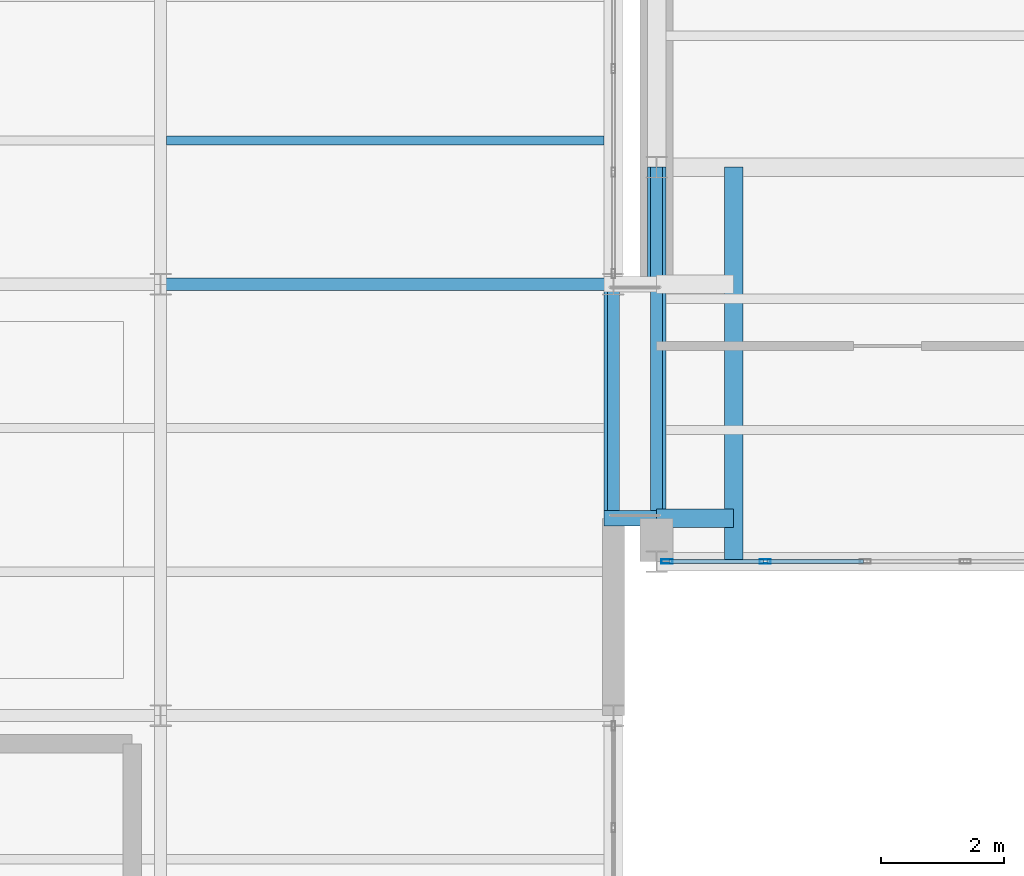
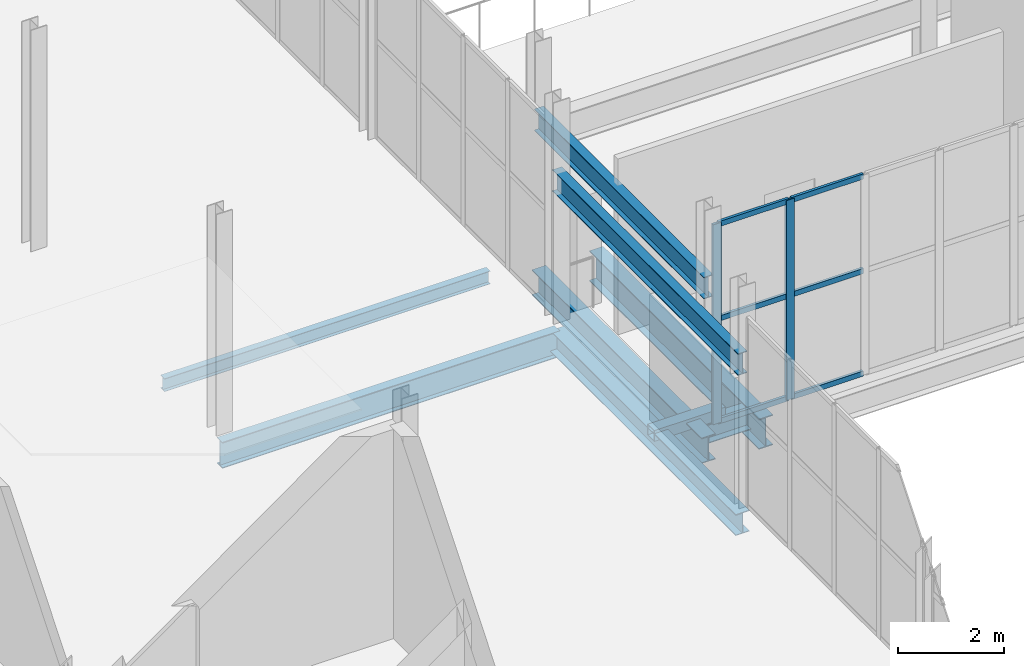
# One storey, part 44 of 218: 9 members, 8 beams, 1 element without a shape of its own.
"""IFC4 building model written with IfcOpenShell, lengths in metres."""

from ifc_helpers import new_model, si_unit, direction, frame, origin, origin_2d, place, context, subcontext, project, spatial, hollow_rectangle, i_section, extrude, material, material_profile, profile_set, type_object, element, aggregate, save


model = new_model("IFC4")

# Units and contexts
model_context = context("Model", 3, precision=1e-05, world=origin(), true_north=direction((0.0, 1.0)))
body_context = subcontext(model_context, "Body", "Model", "MODEL_VIEW")
ifc_project = project(units=[si_unit("LENGTHUNIT", "METRE"), si_unit("AREAUNIT", "SQUARE_METRE"), si_unit("VOLUMEUNIT", "CUBIC_METRE"), si_unit("PLANEANGLEUNIT", "RADIAN"), si_unit("MASSUNIT", "GRAM", prefix="KILO")], contexts=[model_context])

# Site, building, storey
site_placement = place(None, origin())
site = spatial("IfcSite", under=ifc_project, at=site_placement, CompositionType="ELEMENT")
building_placement = place(site_placement, origin())
building = spatial("IfcBuilding", under=site, at=building_placement, Name="Kazenagashi Tramway Depot", CompositionType="ELEMENT")
storey_placement = place(building_placement, frame((0.0, 0.0, 6.0)))
storey = spatial("IfcBuildingStorey", under=building, at=storey_placement, Name="L02", CompositionType="ELEMENT", Elevation=6.0)

# Beams
ifc_material_1 = material(Name="Steel SN490B", Category="steel")
ifc_material_profile_1 = material_profile(ifc_material_1, i_section(OverallWidth=0.3, OverallDepth=0.7, WebThickness=0.013, FlangeThickness=0.024, at=origin_2d()), Name="H-700x300x13x24")
ifc_profile_set_1 = profile_set([ifc_material_profile_1], Name="Steel SN490B")
beam_type_1 = type_object("IfcBeamType", Name="G-02", PredefinedType="BEAM", material=ifc_profile_set_1)
beam_1_placement = place(storey_placement, frame((46.05, 16.5, -0.6), z_axis=(0.0, 1.0, 0.0), x_axis=(-1.0, 0.0, 0.0)))
element("IfcBeam", 1, at=beam_1_placement, inside=storey, type_object=beam_type_1, Name="Beam G-02 BM-2358", PredefinedType="BEAM", context=body_context, shape_type="SweptSolid", body=[
    extrude(i_section(OverallWidth=0.3, OverallDepth=0.7, WebThickness=0.013, FlangeThickness=0.024, at=origin_2d()), origin(), (0.0, 0.0, 1.0), 6.4),
])
ifc_material_profile_2 = material_profile(ifc_material_1, i_section(OverallWidth=0.2, OverallDepth=0.6, WebThickness=0.011, FlangeThickness=0.017, at=origin_2d()), Name="H-600x200x11x17")
ifc_profile_set_2 = profile_set([ifc_material_profile_2], Name="Steel SN490B")
beam_type_2 = type_object("IfcBeamType", Name="G-03", PredefinedType="BEAM", material=ifc_profile_set_2)
beam_2_placement = place(storey_placement, frame((36.75, 21.0, -0.55), z_axis=(1.0, 0.0, 0.0), x_axis=(0.0, 1.0, 0.0)))
element("IfcBeam", 2, at=beam_2_placement, inside=storey, type_object=beam_type_2, Name="Beam G-03 BM-0018", PredefinedType="BEAM", context=body_context, shape_type="SweptSolid", body=[
    extrude(i_section(OverallWidth=0.2, OverallDepth=0.6, WebThickness=0.011, FlangeThickness=0.017, at=origin_2d()), origin(), (0.0, 0.0, 1.0), 7.35),
])
ifc_material_profile_3 = material_profile(ifc_material_1, i_section(OverallWidth=0.2, OverallDepth=0.5, WebThickness=0.01, FlangeThickness=0.016, at=origin_2d()), Name="H-500x200x10x16")
ifc_profile_set_3 = profile_set([ifc_material_profile_3], Name="Steel SN490B")
beam_type_3 = type_object("IfcBeamType", Name="G-05", PredefinedType="BEAM", material=ifc_profile_set_3)
beam_3_placement = place(storey_placement, frame((44.1, 14.0, 3.185), z_axis=(0.0, 1.0, 0.0), x_axis=(-1.0, 0.0, 0.0)))
element("IfcBeam", 3, at=beam_3_placement, inside=storey, type_object=beam_type_3, Name="Beam G-05 BM-2014", PredefinedType="BEAM", context=body_context, shape_type="SweptSolid", body=[
    extrude(i_section(OverallWidth=0.2, OverallDepth=0.5, WebThickness=0.01, FlangeThickness=0.016, at=origin_2d()), origin(), (0.0, 0.0, 1.0), 7.0),
])
beam_4_placement = place(storey_placement, frame((44.8, 16.5, 3.185), z_axis=(0.0, 1.0, 0.0), x_axis=(-1.0, 0.0, 0.0)))
element("IfcBeam", 4, at=beam_4_placement, inside=storey, type_object=beam_type_3, Name="Beam G-05 BM-2015", PredefinedType="BEAM", context=body_context, shape_type="SweptSolid", body=[
    extrude(i_section(OverallWidth=0.2, OverallDepth=0.5, WebThickness=0.01, FlangeThickness=0.016, at=origin_2d()), origin(), (0.0, 0.0, 1.0), 6.4),
])
ifc_material_profile_4 = material_profile(ifc_material_1, i_section(OverallWidth=0.3, OverallDepth=0.44, WebThickness=0.011, FlangeThickness=0.018, at=origin_2d()), Name="H-440x300x11x18")
ifc_profile_set_4 = profile_set([ifc_material_profile_4], Name="Steel SN490B")
beam_type_4 = type_object("IfcBeamType", Name="G-06", PredefinedType="BEAM", material=ifc_profile_set_4)
beam_5_placement = place(storey_placement, frame((44.8, 17.2, -0.65), z_axis=(1.0, 0.0, 0.0), x_axis=(0.0, 1.0, 0.0)))
element("IfcBeam", 5, at=beam_5_placement, inside=storey, type_object=beam_type_4, Name="Beam G-06 BM-2359", PredefinedType="BEAM", context=body_context, shape_type="SweptSolid", body=[
    extrude(i_section(OverallWidth=0.3, OverallDepth=0.44, WebThickness=0.011, FlangeThickness=0.018, at=origin_2d()), origin(), (0.0, 0.0, 1.0), 1.25),
])
ifc_material_2 = material(Name="Steel SN400B", Category="steel")
ifc_material_profile_5 = material_profile(ifc_material_2, i_section(OverallWidth=0.15, OverallDepth=0.3, WebThickness=0.0065, FlangeThickness=0.009, at=origin_2d()), Name="H-300x150x6.5x9")
ifc_profile_set_5 = profile_set([ifc_material_profile_5], Name="Steel SN400B")
beam_type_5 = type_object("IfcBeamType", Name="J-02", PredefinedType="JOIST", material=ifc_profile_set_5)
beam_6_placement = place(storey_placement, frame((36.85, 23.333, -0.4), z_axis=(1.0, 0.0, 0.0), x_axis=(0.0, 1.0, 0.0)))
element("IfcBeam", 6, at=beam_6_placement, inside=storey, type_object=beam_type_5, Name="Beam J-02 BM-0192", PredefinedType="JOIST", context=body_context, shape_type="SweptSolid", body=[
    extrude(i_section(OverallWidth=0.15, OverallDepth=0.3, WebThickness=0.0065, FlangeThickness=0.009, at=origin_2d()), origin(), (0.0, 0.0, 1.0), 7.1),
])

# Curtain wall, members
ifc_material_3 = material(Name="Anodised Aluminium and Low-E Glazing", Category="aluminium")
curtain_wall_type = type_object("IfcCurtainWallType", Name="CW-20", PredefinedType="USERDEFINED", material=ifc_material_3)
curtain_wall_placement = place(storey_placement, origin())
curtain_wall = element("IfcCurtainWall", 7, at=curtain_wall_placement, inside=storey, type_object=curtain_wall_type, Name="Industrial Glazed Screen CW-20 CW-0095", ObjectType="GLAZED SCREEN", PredefinedType="USERDEFINED")
ifc_material_4 = material(Name="Anodised Aluminium", Category="aluminium")
ifc_material_profile_6 = material_profile(ifc_material_4, hollow_rectangle(XDim=0.07, YDim=0.18, WallThickness=0.005, at=origin_2d()), Name="RHS-180x70x5")
ifc_profile_set_6 = profile_set([ifc_material_profile_6], Name="Anodised Aluminium")
member_type_1 = type_object("IfcMemberType", Name="ML-02", PredefinedType="MULLION", material=ifc_profile_set_6)
member_1_placement = place(storey_placement, frame((44.97, 16.5, 0.0), z_axis=(0.0, 0.0, 1.0), x_axis=(0.0, 1.0, 0.0)))
member_1 = element("IfcMember", 8, at=member_1_placement, type_object=member_type_1, Name="CW-20 mullion 1", PredefinedType="MULLION", context=body_context, shape_type="SweptSolid", body=[
    extrude(hollow_rectangle(XDim=0.07, YDim=0.18, WallThickness=0.005, at=origin_2d()), origin(), (0.0, 0.0, 1.0), 4.6),
])
member_2_placement = place(storey_placement, frame((46.564, 16.5, 0.0), z_axis=(0.0, 0.0, 1.0), x_axis=(0.0, 1.0, 0.0)))
member_2 = element("IfcMember", 9, at=member_2_placement, type_object=member_type_1, Name="CW-20 mullion 2", PredefinedType="MULLION", context=body_context, shape_type="SweptSolid", body=[
    extrude(hollow_rectangle(XDim=0.07, YDim=0.18, WallThickness=0.005, at=origin_2d()), origin(), (0.0, 0.0, 1.0), 4.6),
])

# Beams
ifc_material_profile_7 = material_profile(ifc_material_1, i_section(OverallWidth=0.3, OverallDepth=0.588, WebThickness=0.012, FlangeThickness=0.02, at=origin_2d()), Name="H-588x300x12x20")
ifc_profile_set_7 = profile_set([ifc_material_profile_7], Name="Steel SN490B")
beam_type_6 = type_object("IfcBeamType", Name="SP-01", PredefinedType="SPANDREL", material=ifc_profile_set_7)
beam_7_placement = place(storey_placement, frame((44.8, 16.5, -0.544), z_axis=(0.0, 1.0, 0.0), x_axis=(-1.0, 0.0, 0.0)))
element("IfcBeam", 10, at=beam_7_placement, inside=storey, type_object=beam_type_6, Name="Beam SP-01 BM-1030", PredefinedType="SPANDREL", context=body_context, shape_type="SweptSolid", body=[
    extrude(i_section(OverallWidth=0.3, OverallDepth=0.588, WebThickness=0.012, FlangeThickness=0.02, at=origin_2d()), origin(), (0.0, 0.0, 1.0), 6.4),
])
ifc_material_profile_8 = material_profile(ifc_material_1, i_section(OverallWidth=0.3, OverallDepth=0.488, WebThickness=0.011, FlangeThickness=0.018, at=origin_2d()), Name="H-488x300x11x18")
ifc_profile_set_8 = profile_set([ifc_material_profile_8], Name="Steel SN490B")
beam_type_7 = type_object("IfcBeamType", Name="SP-02", PredefinedType="SPANDREL", material=ifc_profile_set_8)
beam_8_placement = place(storey_placement, frame((44.1, 14.0, -0.494), z_axis=(0.0, 1.0, 0.0), x_axis=(-1.0, 0.0, 0.0)))
element("IfcBeam", 11, at=beam_8_placement, inside=storey, type_object=beam_type_7, Name="Beam SP-02 BM-0211", PredefinedType="SPANDREL", context=body_context, shape_type="SweptSolid", body=[
    extrude(i_section(OverallWidth=0.3, OverallDepth=0.488, WebThickness=0.011, FlangeThickness=0.018, at=origin_2d()), origin(), (0.0, 0.0, 1.0), 7.0),
])

# Member
ifc_material_5 = material(Name="Weathering Steel SMA490W", Category="steel")
ifc_material_profile_9 = material_profile(ifc_material_5, hollow_rectangle(XDim=0.25, YDim=0.25, WallThickness=0.009, at=origin_2d()), Name="SHS-250x250x9")
ifc_profile_set_9 = profile_set([ifc_material_profile_9], Name="Weathering Steel SMA490W")
member_type_2 = type_object("IfcMemberType", Name="TC-04", PredefinedType="CHORD", material=ifc_profile_set_9)
member_3_placement = place(storey_placement, frame((43.95, 17.2, -0.305), z_axis=(1.0, 0.0, 0.0), x_axis=(0.0, 1.0, 0.0)))
element("IfcMember", 12, at=member_3_placement, inside=storey, type_object=member_type_2, Name="Link Bridge Truss TC-04 MEM-1552", PredefinedType="CHORD", context=body_context, shape_type="SweptSolid", body=[
    extrude(hollow_rectangle(XDim=0.25, YDim=0.25, WallThickness=0.009, at=origin_2d()), origin(), (0.0, 0.0, 1.0), 1.55),
])

ifc_material_profile_10 = material_profile(ifc_material_4, hollow_rectangle(XDim=0.06, YDim=0.12, WallThickness=0.004, at=origin_2d()), Name="RHS-120x60x4")
ifc_profile_set_10 = profile_set([ifc_material_profile_10], Name="Anodised Aluminium")
member_type_3 = type_object("IfcMemberType", Name="TR-01", PredefinedType="USERDEFINED", material=ifc_profile_set_10)
member_4_placement = place(storey_placement, frame((45.0, 16.5, 0.03), z_axis=(1.0, 0.0, 0.0), x_axis=(0.0, 1.0, 0.0)))
member_4 = element("IfcMember", 13, at=member_4_placement, type_object=member_type_3, Name="CW-20 transom 1.1", ObjectType="TRANSOM", PredefinedType="USERDEFINED", context=body_context, shape_type="SweptSolid", body=[
    extrude(hollow_rectangle(XDim=0.06, YDim=0.12, WallThickness=0.004, at=origin_2d()), origin(), (0.0, 0.0, 1.0), 1.534),
])

member_5_placement = place(storey_placement, frame((45.0, 16.5, 2.392), z_axis=(1.0, 0.0, 0.0), x_axis=(0.0, 1.0, 0.0)))
member_5 = element("IfcMember", 14, at=member_5_placement, type_object=member_type_3, Name="CW-20 transom 1.2", ObjectType="TRANSOM", PredefinedType="USERDEFINED", context=body_context, shape_type="SweptSolid", body=[
    extrude(hollow_rectangle(XDim=0.06, YDim=0.12, WallThickness=0.004, at=origin_2d()), origin(), (0.0, 0.0, 1.0), 1.534),
])

member_6_placement = place(storey_placement, frame((45.0, 16.5, 4.57), z_axis=(1.0, 0.0, 0.0), x_axis=(0.0, 1.0, 0.0)))
member_6 = element("IfcMember", 15, at=member_6_placement, type_object=member_type_3, Name="CW-20 transom 1.3", ObjectType="TRANSOM", PredefinedType="USERDEFINED", context=body_context, shape_type="SweptSolid", body=[
    extrude(hollow_rectangle(XDim=0.06, YDim=0.12, WallThickness=0.004, at=origin_2d()), origin(), (0.0, 0.0, 1.0), 1.534),
])

member_7_placement = place(storey_placement, frame((46.594, 16.5, 0.03), z_axis=(1.0, 0.0, 0.0), x_axis=(0.0, 1.0, 0.0)))
member_7 = element("IfcMember", 16, at=member_7_placement, type_object=member_type_3, Name="CW-20 transom 2.1", ObjectType="TRANSOM", PredefinedType="USERDEFINED", context=body_context, shape_type="SweptSolid", body=[
    extrude(hollow_rectangle(XDim=0.06, YDim=0.12, WallThickness=0.004, at=origin_2d()), origin(), (0.0, 0.0, 1.0), 1.564),
])

member_8_placement = place(storey_placement, frame((46.594, 16.5, 2.392), z_axis=(1.0, 0.0, 0.0), x_axis=(0.0, 1.0, 0.0)))
member_8 = element("IfcMember", 17, at=member_8_placement, type_object=member_type_3, Name="CW-20 transom 2.2", ObjectType="TRANSOM", PredefinedType="USERDEFINED", context=body_context, shape_type="SweptSolid", body=[
    extrude(hollow_rectangle(XDim=0.06, YDim=0.12, WallThickness=0.004, at=origin_2d()), origin(), (0.0, 0.0, 1.0), 1.564),
])

member_9_placement = place(storey_placement, frame((46.594, 16.5, 4.57), z_axis=(1.0, 0.0, 0.0), x_axis=(0.0, 1.0, 0.0)))
member_9 = element("IfcMember", 18, at=member_9_placement, type_object=member_type_3, Name="CW-20 transom 2.3", ObjectType="TRANSOM", PredefinedType="USERDEFINED", context=body_context, shape_type="SweptSolid", body=[
    extrude(hollow_rectangle(XDim=0.06, YDim=0.12, WallThickness=0.004, at=origin_2d()), origin(), (0.0, 0.0, 1.0), 1.564),
])

aggregate(curtain_wall, [member_1, member_2, member_4, member_5, member_6, member_7, member_8, member_9])

save(model, "model.ifc")
